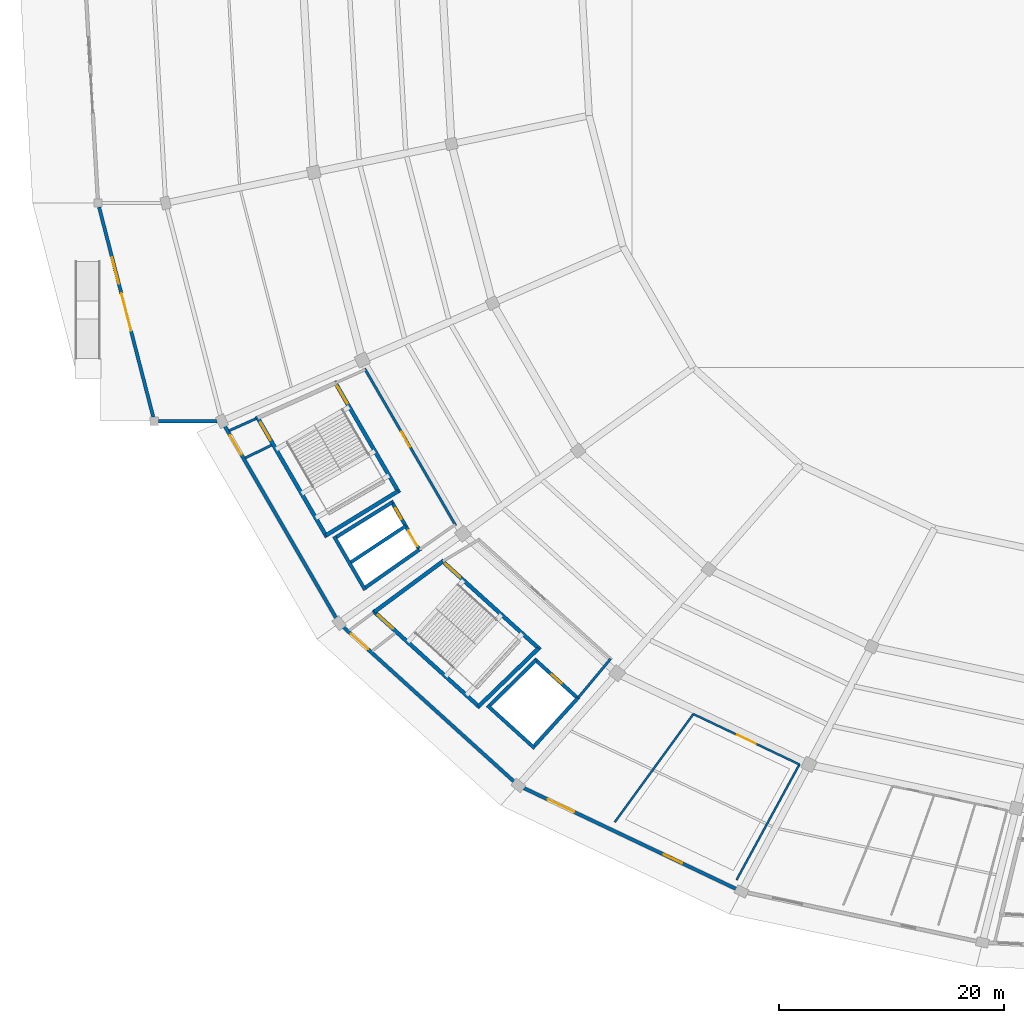
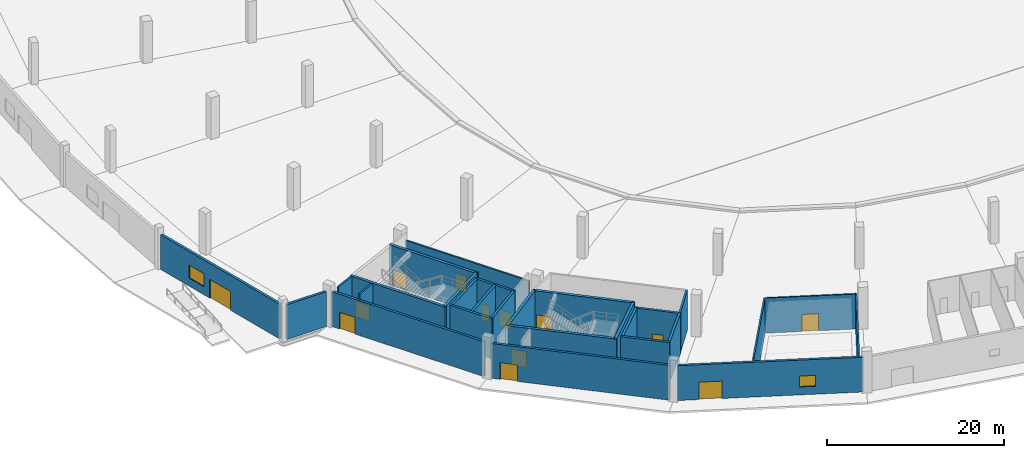
# One storey, part 9 of 48: 28 walls, 13 doors, 2 windows, 15 openings.
"""IFC4 building model written with IfcOpenShell, lengths in metres."""

from ifc_helpers import new_model, si_unit, direction, frame, frame_2d, origin, place, context, subcontext, project, spatial, rectangle, extrude, material, layer, layer_set, type_object, element, fill, save


model = new_model("IFC4")

# Units and contexts
model_context = context("Model", 3, precision=1e-05, world=origin(), true_north=direction((0.0, 1.0)))
body_context = subcontext(model_context, "Body", "Model", "MODEL_VIEW")
ifc_project = project(units=[si_unit("LENGTHUNIT", "METRE"), si_unit("AREAUNIT", "SQUARE_METRE"), si_unit("VOLUMEUNIT", "CUBIC_METRE"), si_unit("PLANEANGLEUNIT", "RADIAN"), si_unit("MASSUNIT", "GRAM", prefix="KILO")], contexts=[model_context])

# Site, building, storey
site_placement = place(None, origin())
site = spatial("IfcSite", under=ifc_project, at=site_placement, CompositionType="ELEMENT")
building_placement = place(site_placement, origin())
building = spatial("IfcBuilding", under=site, at=building_placement, Name="Kazemori Nagisa Stadium", CompositionType="ELEMENT")
storey_placement = place(building_placement, origin())
storey = spatial("IfcBuildingStorey", under=building, at=storey_placement, Name="L00", CompositionType="ELEMENT", Elevation=0.0)

# Wall, opening, door
ifc_material_1 = material(Name="Concrete C40/50 (Fc42)", Category="concrete")
ifc_layer_1 = layer(ifc_material_1, 0.35009765625, Name="Concrete C40/50 (Fc42)", Category="concrete")
ifc_layer_set_1 = layer_set([ifc_layer_1], Name="Concrete C40/50 (Fc42)")
wall_type_1 = type_object("IfcWallType", Name="Wall_W-CORE-350", PredefinedType="SHEAR", material=ifc_layer_set_1)
wall_1_placement = place(storey_placement, frame((44.090087890625, 66.78759765625, 0.0), z_axis=(0.0, 0.0, 1.0), x_axis=(0.501628624814, -0.865083072755, 0.0)))
wall_1 = element("IfcWall", 1, at=wall_1_placement, inside=storey, type_object=wall_type_1, Name="Core stair front shear wall ST09 L00", PredefinedType="SHEAR", context=body_context, shape_type="SweptSolid", body=[
    extrude(rectangle(XDim=11.435302734375, YDim=0.35009765625, at=frame_2d((5.7177734375, 0.0))), origin(), (0.0, 0.0, 1.0), 5.5),
])
opening_1_placement = place(wall_1_placement, frame((0.47509765625, 0.0, 0.0)))
opening_1 = element("IfcOpeningElement", 2, at=opening_1_placement, cuts=wall_1, Name="Opening D-ST-1800", PredefinedType="OPENING", context=body_context, shape_type="SweptSolid", body=[
    extrude(rectangle(XDim=1.800048828125, YDim=2.199951171875, at=frame_2d((0.89990234375, 1.10009765625))), frame((0.0, 0.18505859375, 0.0), z_axis=(0.0, -1.0, 0.0), x_axis=(1.0, 0.0, 0.0)), (0.0, 0.0, 1.0), 0.3701171875),
])
ifc_material_2 = material(Name="Galvanised steel sheet", Category="steel")
door_type_1 = type_object("IfcDoorType", Name="Door_D-ST-1800", OperationType="NOTDEFINED", PredefinedType="DOOR", material=ifc_material_2)
door_1_placement = place(opening_1_placement, origin())
door_1 = element("IfcDoor", 3, at=door_1_placement, inside=storey, type_object=door_type_1, Name="Exit stair fire door ST09-L00", OperationType="SINGLE_SWING_LEFT", OverallHeight=2.199951171875, OverallWidth=1.800048828125, PredefinedType="DOOR", context=body_context, shape_type="SweptSolid", body=[
    extrude(rectangle(XDim=1.800048828125, YDim=2.199951171875, at=frame_2d((0.89990234375, 1.10009765625))), frame((0.0, 0.02490234375, 0.0), z_axis=(0.0, -1.0, 0.0), x_axis=(1.0, 0.0, 0.0)), (0.0, 0.0, 1.0), 0.050048828125),
])
fill(opening_1, door_1)

wall_2_placement = place(storey_placement, frame((37.19775390625, 63.6953125, 0.0), z_axis=(0.0, 0.0, 1.0), x_axis=(0.501601740165, -0.865098661577, 0.0)))
wall_2 = element("IfcWall", 4, at=wall_2_placement, inside=storey, type_object=wall_type_1, Name="Core stair rear shear wall ST09 L00", PredefinedType="SHEAR", context=body_context, shape_type="SweptSolid", body=[
    extrude(rectangle(XDim=12.404541015625, YDim=0.35009765625, at=frame_2d((6.2021484375, 0.0))), origin(), (0.0, 0.0, 1.0), 5.5),
])
opening_2_placement = place(wall_2_placement, frame((0.636962890625, 0.0, 0.0)))
opening_2 = element("IfcOpeningElement", 5, at=opening_2_placement, cuts=wall_2, Name="Opening D-ST-1800", PredefinedType="OPENING", context=body_context, shape_type="SweptSolid", body=[
    extrude(rectangle(XDim=1.800048828125, YDim=2.199951171875, at=frame_2d((0.89990234375, 1.10009765625))), frame((0.0, 0.18505859375, 0.0), z_axis=(0.0, -1.0, 0.0), x_axis=(1.0, 0.0, 0.0)), (0.0, 0.0, 1.0), 0.3701171875),
])
door_2_placement = place(opening_2_placement, frame((1.800048828125, 0.0, 0.0), z_axis=(0.0, 0.0, 1.0), x_axis=(-1.0, 0.0, 0.0)))
door_2 = element("IfcDoor", 6, at=door_2_placement, inside=storey, type_object=door_type_1, Name="Exit stair discharge door ST09-L00", OperationType="DOUBLE_DOOR_SINGLE_SWING", OverallHeight=2.199951171875, OverallWidth=1.800048828125, PredefinedType="DOOR", context=body_context, shape_type="SweptSolid", body=[
    extrude(rectangle(XDim=1.800048828125, YDim=2.199951171875, at=frame_2d((0.89990234375, 1.10009765625))), frame((0.0, 0.02490234375, 0.0), z_axis=(0.0, -1.0, 0.0), x_axis=(1.0, 0.0, 0.0)), (0.0, 0.0, 1.0), 0.050048828125),
])
fill(opening_2, door_2)

# Wall
wall_3_placement = place(storey_placement, frame((49.738525390625, 57.04638671875, 0.0), z_axis=(0.0, 0.0, 1.0), x_axis=(-0.852334575619, -0.522996913188, 0.0)))
element("IfcWall", 7, at=wall_3_placement, inside=storey, type_object=wall_type_1, Name="Core stair right shear wall ST09 L00", PredefinedType="SHEAR", context=body_context, shape_type="SweptSolid", body=[
    extrude(rectangle(XDim=7.51611328125, YDim=0.35009765625, at=frame_2d((3.758056640625, 0.0))), origin(), (0.0, 0.0, 1.0), 5.5),
])

# Wall, opening, door
wall_4_placement = place(storey_placement, frame((53.561279296875, 50.927978515625, 0.0), z_axis=(0.0, 0.0, 1.0), x_axis=(0.741358227035, -0.671109513572, 0.0)))
wall_4 = element("IfcWall", 8, at=wall_4_placement, inside=storey, type_object=wall_type_1, Name="Core stair front shear wall ST03 L00", PredefinedType="SHEAR", context=body_context, shape_type="SweptSolid", body=[
    extrude(rectangle(XDim=11.82666015625, YDim=0.35009765625, at=frame_2d((5.913330078125, 0.0))), origin(), (0.0, 0.0, 1.0), 5.5),
])
opening_3_placement = place(wall_4_placement, frame((0.47509765625, 0.0, 0.0)))
opening_3 = element("IfcOpeningElement", 9, at=opening_3_placement, cuts=wall_4, Name="Opening D-ST-1800", PredefinedType="OPENING", context=body_context, shape_type="SweptSolid", body=[
    extrude(rectangle(XDim=1.800048828125, YDim=2.199951171875, at=frame_2d((0.89990234375, 1.10009765625))), frame((0.0, 0.18505859375, 0.0), z_axis=(0.0, -1.0, 0.0), x_axis=(1.0, 0.0, 0.0)), (0.0, 0.0, 1.0), 0.3701171875),
])
door_3_placement = place(opening_3_placement, origin())
door_3 = element("IfcDoor", 10, at=door_3_placement, inside=storey, type_object=door_type_1, Name="Exit stair fire door ST03-L00", OperationType="SINGLE_SWING_LEFT", OverallHeight=2.199951171875, OverallWidth=1.800048828125, PredefinedType="DOOR", context=body_context, shape_type="SweptSolid", body=[
    extrude(rectangle(XDim=1.800048828125, YDim=2.199951171875, at=frame_2d((0.89990234375, 1.10009765625))), frame((0.0, 0.02490234375, 0.0), z_axis=(0.0, -1.0, 0.0), x_axis=(1.0, 0.0, 0.0)), (0.0, 0.0, 1.0), 0.050048828125),
])
fill(opening_3, door_3)

wall_5_placement = place(storey_placement, frame((47.500732421875, 46.451904296875, 0.0), z_axis=(0.0, 0.0, 1.0), x_axis=(0.741351373721, -0.671117084183, 0.0)))
wall_5 = element("IfcWall", 11, at=wall_5_placement, inside=storey, type_object=wall_type_1, Name="Core stair rear shear wall ST03 L00", PredefinedType="SHEAR", context=body_context, shape_type="SweptSolid", body=[
    extrude(rectangle(XDim=12.830322265625, YDim=0.35009765625, at=frame_2d((6.4150390625, 0.0))), origin(), (0.0, 0.0, 1.0), 5.5),
])
opening_4_placement = place(wall_5_placement, frame((0.60205078125, 0.0, 0.0)))
opening_4 = element("IfcOpeningElement", 12, at=opening_4_placement, cuts=wall_5, Name="Opening D-ST-1800", PredefinedType="OPENING", context=body_context, shape_type="SweptSolid", body=[
    extrude(rectangle(XDim=1.800048828125, YDim=2.199951171875, at=frame_2d((0.89990234375, 1.10009765625))), frame((0.0, 0.18505859375, 0.0), z_axis=(0.0, -1.0, 0.0), x_axis=(1.0, 0.0, 0.0)), (0.0, 0.0, 1.0), 0.3701171875),
])
door_4_placement = place(opening_4_placement, frame((1.800048828125, 0.0, 0.0), z_axis=(0.0, 0.0, 1.0), x_axis=(-1.0, 0.0, 0.0)))
door_4 = element("IfcDoor", 13, at=door_4_placement, inside=storey, type_object=door_type_1, Name="Exit stair discharge door ST03-L00", OperationType="DOUBLE_DOOR_SINGLE_SWING", OverallHeight=2.199951171875, OverallWidth=1.800048828125, PredefinedType="DOOR", context=body_context, shape_type="SweptSolid", body=[
    extrude(rectangle(XDim=1.800048828125, YDim=2.199951171875, at=frame_2d((0.89990234375, 1.10009765625))), frame((0.0, 0.02490234375, 0.0), z_axis=(0.0, -1.0, 0.0), x_axis=(1.0, 0.0, 0.0)), (0.0, 0.0, 1.0), 0.050048828125),
])
fill(opening_4, door_4)

# Walls
wall_6_placement = place(storey_placement, frame((53.691162109375, 50.810546875, 0.0), z_axis=(0.0, 0.0, 1.0), x_axis=(-0.804395625347, -0.594093997548, 0.0)))
element("IfcWall", 14, at=wall_6_placement, inside=storey, type_object=wall_type_1, Name="Core stair left shear wall ST03 L00", PredefinedType="SHEAR", context=body_context, shape_type="SweptSolid", body=[
    extrude(rectangle(XDim=7.5341796875, YDim=0.35009765625, at=frame_2d((3.76708984375, 0.0))), origin(), (0.0, 0.0, 1.0), 5.5),
])
wall_7_placement = place(storey_placement, frame((62.199462890625, 43.1083984375, 0.0), z_axis=(0.0, 0.0, 1.0), x_axis=(-0.718297398554, -0.69573619083, 0.0)))
element("IfcWall", 15, at=wall_7_placement, inside=storey, type_object=wall_type_1, Name="Core stair right shear wall ST03 L00", PredefinedType="SHEAR", context=body_context, shape_type="SweptSolid", body=[
    extrude(rectangle(XDim=7.40185546875, YDim=0.35009765625, at=frame_2d((3.700927734375, 0.0))), origin(), (0.0, 0.0, 1.0), 5.5),
])
ifc_material_3 = material(Name="Concrete C40/50 (Fc42) precast", Category="concrete")
ifc_layer_2 = layer(ifc_material_3, 0.300048828125, Name="Concrete C40/50 (Fc42) precast", Category="concrete")
ifc_layer_set_2 = layer_set([ifc_layer_2], Name="Concrete C40/50 (Fc42) precast")
wall_type_2 = type_object("IfcWallType", Name="Wall_W-EXT-300", PredefinedType="SOLIDWALL", material=ifc_layer_set_2)
wall_8_placement = place(storey_placement, frame((33.675048828125, 63.25048828125, 0.0), z_axis=(0.0, 0.0, 1.0), x_axis=(-1.0, 0.0, 0.0)))
element("IfcWall", 16, at=wall_8_placement, inside=storey, type_object=wall_type_2, Name="West grandstand return wall L00-S", PredefinedType="SOLIDWALL", context=body_context, shape_type="SweptSolid", body=[
    extrude(rectangle(XDim=5.179931640625, YDim=0.300048828125, at=frame_2d((2.58984375, 0.0))), origin(), (0.0, 0.0, 1.0), 4.800048828125),
])

# Wall, openings, door, window
wall_9_placement = place(storey_placement, frame((23.214111328125, 82.234375, 0.0), z_axis=(0.0, 0.0, 1.0), x_axis=(0.249965196191, -0.968254822189, 0.0)))
wall_9 = element("IfcWall", 17, at=wall_9_placement, inside=storey, type_object=wall_type_2, Name="Ground exterior entrance wall L00-16", PredefinedType="SOLIDWALL", context=body_context, shape_type="SweptSolid", body=[
    extrude(rectangle(XDim=19.226318359375, YDim=0.300048828125, at=frame_2d((9.61328125, 0.0))), origin(), (0.0, 0.0, 1.0), 4.800048828125),
])
opening_5_placement = place(wall_9_placement, frame((7.9130859375, 0.0, 0.0)))
opening_5 = element("IfcOpeningElement", 18, at=opening_5_placement, cuts=wall_9, Name="Opening D-ENT-3400", PredefinedType="OPENING", context=body_context, shape_type="SweptSolid", body=[
    extrude(rectangle(XDim=3.39990234375, YDim=2.60009765625, at=frame_2d((1.699951171875, 1.300048828125))), frame((0.0, 0.159912109375, 0.0), z_axis=(0.0, -1.0, 0.0), x_axis=(1.0, 0.0, 0.0)), (0.0, 0.0, 1.0), 0.320068359375),
])
opening_6_placement = place(wall_9_placement, frame((4.613037109375, 0.0, 1.10009765625)))
opening_6 = element("IfcOpeningElement", 19, at=opening_6_placement, cuts=wall_9, Name="Opening WIN-L00-2400", PredefinedType="OPENING", context=body_context, shape_type="SweptSolid", body=[
    extrude(rectangle(XDim=2.39990234375, YDim=1.800048828125, at=frame_2d((1.199951171875, 0.89990234375))), frame((0.0, 0.159912109375, 0.0), z_axis=(0.0, -1.0, 0.0), x_axis=(1.0, 0.0, 0.0)), (0.0, 0.0, 1.0), 0.320068359375),
])
ifc_material_4 = material(Name="Anodised aluminium 6063-T5", Category="aluminium")
door_type_2 = type_object("IfcDoorType", Name="Door_D-ENT-3400", OperationType="NOTDEFINED", PredefinedType="DOOR", material=ifc_material_4)
door_5_placement = place(opening_5_placement, frame((3.39990234375, 0.0, 0.0), z_axis=(0.0, 0.0, 1.0), x_axis=(-1.0, 0.0, 0.0)))
door_5 = element("IfcDoor", 20, at=door_5_placement, inside=storey, type_object=door_type_2, Name="Main entrance E4", OperationType="DOUBLE_DOOR_SINGLE_SWING", OverallHeight=2.60009765625, OverallWidth=3.39990234375, PredefinedType="DOOR", context=body_context, shape_type="SweptSolid", body=[
    extrude(rectangle(XDim=3.39990234375, YDim=2.60009765625, at=frame_2d((1.699951171875, 1.300048828125))), frame((0.0, 0.02490234375, 0.0), z_axis=(0.0, -1.0, 0.0), x_axis=(1.0, 0.0, 0.0)), (0.0, 0.0, 1.0), 0.050048828125),
])
fill(opening_5, door_5)
ifc_material_5 = material(Name="Low-e laminated double glazing", Category="glass")
window_type_1 = type_object("IfcWindowType", Name="Window_WIN-L00-2400", PartitioningType="SINGLE_PANEL", PredefinedType="WINDOW", material=ifc_material_5)
window_1_placement = place(opening_6_placement, origin())
window_1 = element("IfcWindow", 21, at=window_1_placement, inside=storey, type_object=window_type_1, Name="Entrance foyer window L00-16", OverallHeight=1.800048828125, OverallWidth=2.39990234375, PartitioningType="SINGLE_PANEL", PredefinedType="WINDOW", context=body_context, shape_type="SweptSolid", body=[
    extrude(rectangle(XDim=2.39990234375, YDim=1.800048828125, at=frame_2d((1.199951171875, 0.89990234375))), frame((0.0, 0.030029296875, 0.0), z_axis=(0.0, -1.0, 0.0), x_axis=(1.0, 0.0, 0.0)), (0.0, 0.0, 1.0), 0.06005859375),
])
fill(opening_6, window_1)

# Wall, opening, door
wall_10_placement = place(storey_placement, frame((34.310791015625, 62.9130859375, 0.0), z_axis=(0.0, 0.0, 1.0), x_axis=(0.501609752715, -0.865094015689, 0.0)))
wall_10 = element("IfcWall", 22, at=wall_10_placement, inside=storey, type_object=wall_type_2, Name="Core exterior wall L00-17", PredefinedType="SOLIDWALL", context=body_context, shape_type="SweptSolid", body=[
    extrude(rectangle(XDim=19.932373046875, YDim=0.300048828125, at=frame_2d((9.96630859375, 0.0))), origin(), (0.0, 0.0, 1.0), 4.800048828125),
])
opening_7_placement = place(wall_10_placement, frame((1.050048828125, 0.0, 0.0)))
opening_7 = element("IfcOpeningElement", 23, at=opening_7_placement, cuts=wall_10, Name="Opening D-SD-2000", PredefinedType="OPENING", context=body_context, shape_type="SweptSolid", body=[
    extrude(rectangle(XDim=2.0, YDim=2.300048828125, at=frame_2d((1.0, 1.14990234375))), frame((0.0, 0.159912109375, 0.0), z_axis=(0.0, -1.0, 0.0), x_axis=(1.0, 0.0, 0.0)), (0.0, 0.0, 1.0), 0.320068359375),
])
door_type_3 = type_object("IfcDoorType", Name="Door_D-SD-2000", OperationType="NOTDEFINED", PredefinedType="DOOR", material=ifc_material_2)
door_6_placement = place(opening_7_placement, frame((2.0, 0.0, 0.0), z_axis=(0.0, 0.0, 1.0), x_axis=(-1.0, 0.0, 0.0)))
door_6 = element("IfcDoor", 24, at=door_6_placement, inside=storey, type_object=door_type_3, Name="Pedestrian stair exit SD9", OperationType="DOUBLE_DOOR_SINGLE_SWING", OverallHeight=2.300048828125, OverallWidth=2.0, PredefinedType="DOOR", context=body_context, shape_type="SweptSolid", body=[
    extrude(rectangle(XDim=2.0, YDim=2.300048828125, at=frame_2d((1.0, 1.14990234375))), frame((0.0, 0.02490234375, 0.0), z_axis=(0.0, -1.0, 0.0), x_axis=(1.0, 0.0, 0.0)), (0.0, 0.0, 1.0), 0.050048828125),
])
fill(opening_7, door_6)

wall_11_placement = place(storey_placement, frame((44.793701171875, 45.070556640625, 0.0), z_axis=(0.0, 0.0, 1.0), x_axis=(0.741354093053, -0.671114080253, 0.0)))
wall_11 = element("IfcWall", 25, at=wall_11_placement, inside=storey, type_object=wall_type_2, Name="Ground exterior entrance wall L00-18", PredefinedType="SOLIDWALL", context=body_context, shape_type="SweptSolid", body=[
    extrude(rectangle(XDim=20.66357421875, YDim=0.300048828125, at=frame_2d((10.331787109375, 0.0))), origin(), (0.0, 0.0, 1.0), 4.800048828125),
])
opening_8_placement = place(wall_11_placement, frame((1.050048828125, 0.0, 0.0)))
opening_8 = element("IfcOpeningElement", 26, at=opening_8_placement, cuts=wall_11, Name="Opening D-SD-2000", PredefinedType="OPENING", context=body_context, shape_type="SweptSolid", body=[
    extrude(rectangle(XDim=2.0, YDim=2.300048828125, at=frame_2d((1.0, 1.14990234375))), frame((0.0, 0.159912109375, 0.0), z_axis=(0.0, -1.0, 0.0), x_axis=(1.0, 0.0, 0.0)), (0.0, 0.0, 1.0), 0.320068359375),
])
door_7_placement = place(opening_8_placement, frame((2.0, 0.0, 0.0), z_axis=(0.0, 0.0, 1.0), x_axis=(-1.0, 0.0, 0.0)))
door_7 = element("IfcDoor", 27, at=door_7_placement, inside=storey, type_object=door_type_3, Name="Pedestrian stair exit SD3", OperationType="DOUBLE_DOOR_SINGLE_SWING", OverallHeight=2.300048828125, OverallWidth=2.0, PredefinedType="DOOR", context=body_context, shape_type="SweptSolid", body=[
    extrude(rectangle(XDim=2.0, YDim=2.300048828125, at=frame_2d((1.0, 1.14990234375))), frame((0.0, 0.02490234375, 0.0), z_axis=(0.0, -1.0, 0.0), x_axis=(1.0, 0.0, 0.0)), (0.0, 0.0, 1.0), 0.050048828125),
])
fill(opening_8, door_7)

# Wall, openings, door, window
wall_12_placement = place(storey_placement, frame((60.75439453125, 30.773681640625, 0.0), z_axis=(0.0, 0.0, 1.0), x_axis=(0.903214032263, -0.429190414528, 0.0)))
wall_12 = element("IfcWall", 28, at=wall_12_placement, inside=storey, type_object=wall_type_2, Name="Ground exterior entrance wall L00-19", PredefinedType="SOLIDWALL", context=body_context, shape_type="SweptSolid", body=[
    extrude(rectangle(XDim=21.134033203125, YDim=0.300048828125, at=frame_2d((10.56689453125, 0.0))), origin(), (0.0, 0.0, 1.0), 4.800048828125),
])
opening_9_placement = place(wall_12_placement, frame((2.50390625, 0.0, 0.0)))
opening_9 = element("IfcOpeningElement", 29, at=opening_9_placement, cuts=wall_12, Name="Opening D-GATE-2600", PredefinedType="OPENING", context=body_context, shape_type="SweptSolid", body=[
    extrude(rectangle(XDim=2.60009765625, YDim=2.39990234375, at=frame_2d((1.300048828125, 1.199951171875))), frame((0.0, 0.159912109375, 0.0), z_axis=(0.0, -1.0, 0.0), x_axis=(1.0, 0.0, 0.0)), (0.0, 0.0, 1.0), 0.320068359375),
])
opening_10_placement = place(wall_12_placement, frame((13.89404296875, 0.0, 1.10009765625)))
opening_10 = element("IfcOpeningElement", 30, at=opening_10_placement, cuts=wall_12, Name="Opening WIN-L00-1800", PredefinedType="OPENING", context=body_context, shape_type="SweptSolid", body=[
    extrude(rectangle(XDim=1.800048828125, YDim=1.5, at=frame_2d((0.89990234375, 0.75))), frame((0.0, 0.159912109375, 0.0), z_axis=(0.0, -1.0, 0.0), x_axis=(1.0, 0.0, 0.0)), (0.0, 0.0, 1.0), 0.320068359375),
])
door_type_4 = type_object("IfcDoorType", Name="Door_D-GATE-2600", OperationType="NOTDEFINED", PredefinedType="DOOR", material=ifc_material_4)
door_8_placement = place(opening_9_placement, frame((2.60009765625, 0.0, 0.0), z_axis=(0.0, 0.0, 1.0), x_axis=(-1.0, 0.0, 0.0)))
door_8 = element("IfcDoor", 31, at=door_8_placement, inside=storey, type_object=door_type_4, Name="Pedestrian exit gate G5", OperationType="DOUBLE_DOOR_SINGLE_SWING", OverallHeight=2.39990234375, OverallWidth=2.60009765625, PredefinedType="DOOR", context=body_context, shape_type="SweptSolid", body=[
    extrude(rectangle(XDim=2.60009765625, YDim=2.39990234375, at=frame_2d((1.300048828125, 1.199951171875))), frame((0.0, 0.02490234375, 0.0), z_axis=(0.0, -1.0, 0.0), x_axis=(1.0, 0.0, 0.0)), (0.0, 0.0, 1.0), 0.050048828125),
])
fill(opening_9, door_8)
window_type_2 = type_object("IfcWindowType", Name="Window_WIN-L00-1800", PartitioningType="SINGLE_PANEL", PredefinedType="WINDOW", material=ifc_material_5)
window_2_placement = place(opening_10_placement, origin())
window_2 = element("IfcWindow", 32, at=window_2_placement, inside=storey, type_object=window_type_2, Name="Ground room window L00-19", OverallHeight=1.5, OverallWidth=1.800048828125, PartitioningType="SINGLE_PANEL", PredefinedType="WINDOW", context=body_context, shape_type="SweptSolid", body=[
    extrude(rectangle(XDim=1.800048828125, YDim=1.5, at=frame_2d((0.89990234375, 0.75))), frame((0.0, 0.030029296875, 0.0), z_axis=(0.0, -1.0, 0.0), x_axis=(1.0, 0.0, 0.0)), (0.0, 0.0, 1.0), 0.06005859375),
])
fill(opening_10, window_2)

# Walls
ifc_material_6 = material(Name="Concrete C36/45 (Fc36)", Category="concrete")
ifc_layer_3 = layer(ifc_material_6, 0.219970703125, Name="Concrete C36/45 (Fc36)", Category="concrete")
ifc_layer_set_3 = layer_set([ifc_layer_3], Name="Concrete C36/45 (Fc36)")
wall_type_3 = type_object("IfcWallType", Name="Wall_W-LOBBY-220", PredefinedType="SOLIDWALL", material=ifc_layer_set_3)
wall_13_placement = place(storey_placement, frame((37.14404296875, 63.48046875, 0.0), z_axis=(0.0, 0.0, 1.0), x_axis=(-0.912368969251, -0.409368860501, 0.0)))
element("IfcWall", 33, at=wall_13_placement, inside=storey, type_object=wall_type_3, Name="Exit passage left fire wall ST09 L00", PredefinedType="SOLIDWALL", context=body_context, shape_type="SweptSolid", body=[
    extrude(rectangle(XDim=2.62060546875, YDim=0.219970703125, at=frame_2d((1.310302734375, 0.0))), origin(), (0.0, 0.0, 1.0), 5.5),
])
wall_14_placement = place(storey_placement, frame((38.5126953125, 61.119384765625, 0.0), z_axis=(0.0, 0.0, 1.0), x_axis=(-0.90016279623, -0.435553602078, 0.0)))
element("IfcWall", 34, at=wall_14_placement, inside=storey, type_object=wall_type_3, Name="Exit passage right fire wall ST09 L00", PredefinedType="SOLIDWALL", context=body_context, shape_type="SweptSolid", body=[
    extrude(rectangle(XDim=2.61328125, YDim=0.219970703125, at=frame_2d((1.306640625, 0.0))), origin(), (0.0, 0.0, 1.0), 5.5),
])

# Wall, opening, door
wall_15_placement = place(storey_placement, frame((46.773681640625, 67.9208984375, 0.0), z_axis=(0.0, 0.0, 1.0), x_axis=(0.501612626242, -0.865092349518, 0.0)))
wall_15 = element("IfcWall", 35, at=wall_15_placement, inside=storey, type_object=wall_type_3, Name="Core lobby fire wall ST09 L00", PredefinedType="SOLIDWALL", context=body_context, shape_type="SweptSolid", body=[
    extrude(rectangle(XDim=16.110107421875, YDim=0.219970703125, at=frame_2d((8.05517578125, 0.0))), origin(), (0.0, 0.0, 1.0), 4.447998046875),
])
opening_11_placement = place(wall_15_placement, frame((6.510986328125, 0.0, 0.0)))
opening_11 = element("IfcOpeningElement", 36, at=opening_11_placement, cuts=wall_15, Name="Opening D-FFL-1500", PredefinedType="OPENING", context=body_context, shape_type="SweptSolid", body=[
    extrude(rectangle(XDim=1.5, YDim=2.199951171875, at=frame_2d((0.75, 1.10009765625))), frame((0.0, 0.119873046875, 0.0), z_axis=(0.0, -1.0, 0.0), x_axis=(1.0, 0.0, 0.0)), (0.0, 0.0, 1.0), 0.239990234375),
])
door_type_5 = type_object("IfcDoorType", Name="Door_D-FFL-1500", OperationType="NOTDEFINED", PredefinedType="DOOR", material=ifc_material_2)
door_9_placement = place(opening_11_placement, origin())
door_9 = element("IfcDoor", 37, at=door_9_placement, inside=storey, type_object=door_type_5, Name="Protected lobby fire door ST09-L00", OperationType="DOUBLE_DOOR_SINGLE_SWING", OverallHeight=2.199951171875, OverallWidth=1.5, PredefinedType="DOOR", context=body_context, shape_type="SweptSolid", body=[
    extrude(rectangle(XDim=1.5, YDim=2.199951171875, at=frame_2d((0.75, 1.10009765625))), frame((0.0, 0.02490234375, 0.0), z_axis=(0.0, -1.0, 0.0), x_axis=(1.0, 0.0, 0.0)), (0.0, 0.0, 1.0), 0.050048828125),
])
fill(opening_11, door_9)

# Wall
wall_16_placement = place(storey_placement, frame((68.591064453125, 42.176025390625, 0.0), z_axis=(0.0, 0.0, 1.0), x_axis=(-0.640759627034, -0.767741558315, 0.0)))
element("IfcWall", 38, at=wall_16_placement, inside=storey, type_object=wall_type_3, Name="Core lobby right wall ST03 L00", PredefinedType="SOLIDWALL", context=body_context, shape_type="SweptSolid", body=[
    extrude(rectangle(XDim=4.549072265625, YDim=0.219970703125, at=frame_2d((2.2744140625, 0.0))), origin(), (0.0, 0.0, 1.0), 5.5),
])

# Wall, opening, door
ifc_material_7 = material(Name="Gypsum plasterboard", Category="gypsum")
ifc_layer_4 = layer(ifc_material_7, 0.179931640625, Name="Gypsum plasterboard", Category="gypsum")
ifc_layer_set_4 = layer_set([ifc_layer_4], Name="Gypsum plasterboard")
wall_type_4 = type_object("IfcWallType", Name="Wall_W-PART-180", PredefinedType="PARTITIONING", material=ifc_layer_set_4)
wall_17_placement = place(storey_placement, frame((75.927001953125, 37.2734375, 0.0), z_axis=(0.0, 0.0, 1.0), x_axis=(0.903212529205, -0.42919357764, 0.0)))
wall_17 = element("IfcWall", 39, at=wall_17_placement, inside=storey, type_object=wall_type_4, Name="Club Shop L00-19 corridor partition L00-B19", PredefinedType="PARTITIONING", context=body_context, shape_type="SweptSolid", body=[
    extrude(rectangle(XDim=10.41357421875, YDim=0.179931640625, at=frame_2d((5.206787109375, 0.0))), origin(), (0.0, 0.0, 1.0), 4.820068359375),
])
opening_12_placement = place(wall_17_placement, frame((4.277099609375, 0.0, 0.0)))
opening_12 = element("IfcOpeningElement", 40, at=opening_12_placement, cuts=wall_17, Name="Opening D-SHP-1860", PredefinedType="OPENING", context=body_context, shape_type="SweptSolid", body=[
    extrude(rectangle(XDim=1.860107421875, YDim=2.35009765625, at=frame_2d((0.93017578125, 1.175048828125))), frame((0.0, 0.099853515625, 0.0), z_axis=(0.0, -1.0, 0.0), x_axis=(1.0, 0.0, 0.0)), (0.0, 0.0, 1.0), 0.199951171875),
])
door_type_6 = type_object("IfcDoorType", Name="Door_D-SHP-1860", OperationType="NOTDEFINED", PredefinedType="DOOR", material=ifc_material_2)
door_10_placement = place(opening_12_placement, origin())
door_10 = element("IfcDoor", 41, at=door_10_placement, inside=storey, type_object=door_type_6, Name="Club Shop L00-19 entrance door D-SHP-1860", OperationType="DOUBLE_DOOR_SINGLE_SWING", OverallHeight=2.35009765625, OverallWidth=1.860107421875, PredefinedType="DOOR", context=body_context, shape_type="SweptSolid", body=[
    extrude(rectangle(XDim=1.860107421875, YDim=2.35009765625, at=frame_2d((0.93017578125, 1.175048828125))), frame((0.0, 0.02490234375, 0.0), z_axis=(0.0, -1.0, 0.0), x_axis=(1.0, 0.0, 0.0)), (0.0, 0.0, 1.0), 0.050048828125),
])
fill(opening_12, door_10)

# Walls
wall_18_placement = place(storey_placement, frame((75.927001953125, 37.2734375, 0.0), z_axis=(0.0, 0.0, 1.0), x_axis=(-0.588160679051, -0.808744097733, 0.0)))
element("IfcWall", 42, at=wall_18_placement, inside=storey, type_object=wall_type_4, Name="Room radial partition L00-B19-L", PredefinedType="PARTITIONING", context=body_context, shape_type="SweptSolid", body=[
    extrude(rectangle(XDim=11.857177734375, YDim=0.179931640625, at=frame_2d((5.9287109375, 0.0))), origin(), (0.0, 0.0, 1.0), 4.820068359375),
])
wall_19_placement = place(storey_placement, frame((85.332763671875, 32.803955078125, 0.0), z_axis=(0.0, 0.0, 1.0), x_axis=(-0.478125060974, -0.878291765912, 0.0)))
element("IfcWall", 43, at=wall_19_placement, inside=storey, type_object=wall_type_4, Name="Room radial partition L00-B19-R", PredefinedType="PARTITIONING", context=body_context, shape_type="SweptSolid", body=[
    extrude(rectangle(XDim=11.671875, YDim=0.179931640625, at=frame_2d((5.8359375, 0.0))), origin(), (0.0, 0.0, 1.0), 4.820068359375),
])

# Wall, openings, doors
ifc_layer_5 = layer(ifc_material_1, 0.300048828125, Name="Concrete C40/50 (Fc42)", Category="concrete")
ifc_layer_set_5 = layer_set([ifc_layer_5], Name="Concrete C40/50 (Fc42)")
wall_type_5 = type_object("IfcWallType", Name="Wall_W-SHAFT-300", PredefinedType="SHEAR", material=ifc_layer_set_5)
wall_20_placement = place(storey_placement, frame((49.123046875, 56.1875, 0.0), z_axis=(0.0, 0.0, 1.0), x_axis=(0.501629534056, -0.86508254552, 0.0)))
wall_20 = element("IfcWall", 44, at=wall_20_placement, inside=storey, type_object=wall_type_5, Name="Lift shaft front wall LP7 L00", PredefinedType="SHEAR", context=body_context, shape_type="SweptSolid", body=[
    extrude(rectangle(XDim=5.157470703125, YDim=0.300048828125, at=frame_2d((2.57861328125, 0.0))), origin(), (0.0, 0.0, 1.0), 5.5),
])
opening_13_placement = place(wall_20_placement, frame((0.76611328125, 0.0, 0.0)))
opening_13 = element("IfcOpeningElement", 45, at=opening_13_placement, cuts=wall_20, Name="Opening LD-PAX", PredefinedType="OPENING", context=body_context, shape_type="SweptSolid", body=[
    extrude(rectangle(XDim=1.10009765625, YDim=2.199951171875, at=frame_2d((0.550048828125, 1.10009765625))), frame((0.0, 0.159912109375, 0.0), z_axis=(0.0, -1.0, 0.0), x_axis=(1.0, 0.0, 0.0)), (0.0, 0.0, 1.0), 0.320068359375),
])
opening_14_placement = place(wall_20_placement, frame((3.0419921875, 0.0, 0.0)))
opening_14 = element("IfcOpeningElement", 46, at=opening_14_placement, cuts=wall_20, Name="Opening LD-GDS", PredefinedType="OPENING", context=body_context, shape_type="SweptSolid", body=[
    extrude(rectangle(XDim=1.60009765625, YDim=2.300048828125, at=frame_2d((0.800048828125, 1.14990234375))), frame((0.0, 0.159912109375, 0.0), z_axis=(0.0, -1.0, 0.0), x_axis=(1.0, 0.0, 0.0)), (0.0, 0.0, 1.0), 0.320068359375),
])
ifc_material_8 = material(Name="Stainless steel SUS304", Category="steel")
door_type_7 = type_object("IfcDoorType", Name="Door_LD-GDS", OperationType="SLIDING_TO_LEFT", PredefinedType="DOOR", material=ifc_material_8)
door_11_placement = place(opening_14_placement, origin())
door_11 = element("IfcDoor", 47, at=door_11_placement, inside=storey, type_object=door_type_7, Name="Lift landing door LG2-L00", OperationType="SLIDING_TO_LEFT", OverallHeight=2.300048828125, OverallWidth=1.60009765625, PredefinedType="DOOR", context=body_context, shape_type="SweptSolid", body=[
    extrude(rectangle(XDim=1.60009765625, YDim=2.300048828125, at=frame_2d((0.800048828125, 1.14990234375))), frame((0.0, 0.02490234375, 0.0), z_axis=(0.0, -1.0, 0.0), x_axis=(1.0, 0.0, 0.0)), (0.0, 0.0, 1.0), 0.050048828125),
])
fill(opening_14, door_11)
door_type_8 = type_object("IfcDoorType", Name="Door_LD-PAX", OperationType="SLIDING_TO_RIGHT", PredefinedType="DOOR", material=ifc_material_8)
door_12_placement = place(opening_13_placement, origin())
door_12 = element("IfcDoor", 48, at=door_12_placement, inside=storey, type_object=door_type_8, Name="Lift landing door LP7-L00", OperationType="SLIDING_TO_RIGHT", OverallHeight=2.199951171875, OverallWidth=1.10009765625, PredefinedType="DOOR", context=body_context, shape_type="SweptSolid", body=[
    extrude(rectangle(XDim=1.10009765625, YDim=2.199951171875, at=frame_2d((0.550048828125, 1.10009765625))), frame((0.0, 0.02490234375, 0.0), z_axis=(0.0, -1.0, 0.0), x_axis=(1.0, 0.0, 0.0)), (0.0, 0.0, 1.0), 0.050048828125),
])
fill(opening_13, door_12)

# Walls
wall_21_placement = place(storey_placement, frame((44.05029296875, 53.029541015625, 0.0), z_axis=(0.0, 0.0, 1.0), x_axis=(0.501596987756, -0.865101417103, 0.0)))
element("IfcWall", 49, at=wall_21_placement, inside=storey, type_object=wall_type_5, Name="Lift shaft B wall LP7 L00", PredefinedType="SHEAR", context=body_context, shape_type="SweptSolid", body=[
    extrude(rectangle(XDim=5.4912109375, YDim=0.300048828125, at=frame_2d((2.74560546875, 0.0))), origin(), (0.0, 0.0, 1.0), 5.5),
])
wall_22_placement = place(storey_placement, frame((49.1982421875, 56.0576171875, 0.0), z_axis=(0.0, 0.0, 1.0), x_axis=(-0.848938067893, -0.528492343257, 0.0)))
element("IfcWall", 50, at=wall_22_placement, inside=storey, type_object=wall_type_5, Name="Lift shaft L wall LP7 L00", PredefinedType="SHEAR", context=body_context, shape_type="SweptSolid", body=[
    extrude(rectangle(XDim=5.975341796875, YDim=0.300048828125, at=frame_2d((2.98779296875, 0.0))), origin(), (0.0, 0.0, 1.0), 5.5),
])
wall_23_placement = place(storey_placement, frame((51.634765625, 51.85546875, 0.0), z_axis=(0.0, 0.0, 1.0), x_axis=(-0.818205158105, -0.574926359851, 0.0)))
element("IfcWall", 51, at=wall_23_placement, inside=storey, type_object=wall_type_5, Name="Lift shaft R wall LP7 L00", PredefinedType="SHEAR", context=body_context, shape_type="SweptSolid", body=[
    extrude(rectangle(XDim=5.9951171875, YDim=0.300048828125, at=frame_2d((2.99755859375, 0.0))), origin(), (0.0, 0.0, 1.0), 5.5),
])
wall_24_placement = place(storey_placement, frame((50.41650390625, 53.95654296875, 0.0), z_axis=(0.0, 0.0, 1.0), x_axis=(-0.833878900042, -0.551947443209, 0.0)))
element("IfcWall", 52, at=wall_24_placement, inside=storey, type_object=wall_type_5, Name="Lift shaft divider wall LP7-LG2 L00", PredefinedType="SHEAR", context=body_context, shape_type="SweptSolid", body=[
    extrude(rectangle(XDim=5.98291015625, YDim=0.300048828125, at=frame_2d((2.991455078125, 0.0))), origin(), (0.0, 0.0, 1.0), 5.5),
])

# Wall, opening, door
wall_25_placement = place(storey_placement, frame((61.8369140625, 42.159423828125, 0.0), z_axis=(0.0, 0.0, 1.0), x_axis=(0.741350155641, -0.671118429736, 0.0)))
wall_25 = element("IfcWall", 53, at=wall_25_placement, inside=storey, type_object=wall_type_5, Name="Lift shaft front wall FL3 L00", PredefinedType="SHEAR", context=body_context, shape_type="SweptSolid", body=[
    extrude(rectangle(XDim=5.3291015625, YDim=0.300048828125, at=frame_2d((2.66455078125, 0.0))), origin(), (0.0, 0.0, 1.0), 5.5),
])
opening_15_placement = place(wall_25_placement, frame((2.06494140625, 0.0, 0.0)))
opening_15 = element("IfcOpeningElement", 54, at=opening_15_placement, cuts=wall_25, Name="Opening LD-FF", PredefinedType="OPENING", context=body_context, shape_type="SweptSolid", body=[
    extrude(rectangle(XDim=1.199951171875, YDim=2.199951171875, at=frame_2d((0.60009765625, 1.10009765625))), frame((0.0, 0.159912109375, 0.0), z_axis=(0.0, -1.0, 0.0), x_axis=(1.0, 0.0, 0.0)), (0.0, 0.0, 1.0), 0.320068359375),
])
door_type_9 = type_object("IfcDoorType", Name="Door_LD-FF", OperationType="SLIDING_TO_LEFT", PredefinedType="DOOR", material=ifc_material_8)
door_13_placement = place(opening_15_placement, origin())
door_13 = element("IfcDoor", 55, at=door_13_placement, inside=storey, type_object=door_type_9, Name="Lift landing door FL3-L00", OperationType="SLIDING_TO_LEFT", OverallHeight=2.199951171875, OverallWidth=1.199951171875, PredefinedType="DOOR", context=body_context, shape_type="SweptSolid", body=[
    extrude(rectangle(XDim=1.199951171875, YDim=2.199951171875, at=frame_2d((0.60009765625, 1.10009765625))), frame((0.0, 0.02490234375, 0.0), z_axis=(0.0, -1.0, 0.0), x_axis=(1.0, 0.0, 0.0)), (0.0, 0.0, 1.0), 0.050048828125),
])
fill(opening_15, door_13)

# Walls
wall_26_placement = place(storey_placement, frame((57.640380859375, 38.039306640625, 0.0), z_axis=(0.0, 0.0, 1.0), x_axis=(0.74134208775, -0.671127341815, 0.0)))
element("IfcWall", 56, at=wall_26_placement, inside=storey, type_object=wall_type_5, Name="Lift shaft B wall FL3 L00", PredefinedType="SHEAR", context=body_context, shape_type="SweptSolid", body=[
    extrude(rectangle(XDim=5.674560546875, YDim=0.300048828125, at=frame_2d((2.83740234375, 0.0))), origin(), (0.0, 0.0, 1.0), 5.5),
])
wall_27_placement = place(storey_placement, frame((61.947998046875, 42.058837890625, 0.0), z_axis=(0.0, 0.0, 1.0), x_axis=(-0.713553028001, -0.700601224828, 0.0)))
element("IfcWall", 57, at=wall_27_placement, inside=storey, type_object=wall_type_5, Name="Lift shaft L wall FL3 L00", PredefinedType="SHEAR", context=body_context, shape_type="SweptSolid", body=[
    extrude(rectangle(XDim=5.881103515625, YDim=0.300048828125, at=frame_2d((2.9404296875, 0.0))), origin(), (0.0, 0.0, 1.0), 5.5),
])
wall_28_placement = place(storey_placement, frame((65.67626953125, 38.68359375, 0.0), z_axis=(0.0, 0.0, 1.0), x_axis=(-0.67115829282, -0.741314067031, 0.0)))
element("IfcWall", 58, at=wall_28_placement, inside=storey, type_object=wall_type_5, Name="Lift shaft R wall FL3 L00", PredefinedType="SHEAR", context=body_context, shape_type="SweptSolid", body=[
    extrude(rectangle(XDim=5.87060546875, YDim=0.300048828125, at=frame_2d((2.935302734375, 0.0))), origin(), (0.0, 0.0, 1.0), 5.5),
])

save(model, "model.ifc")
